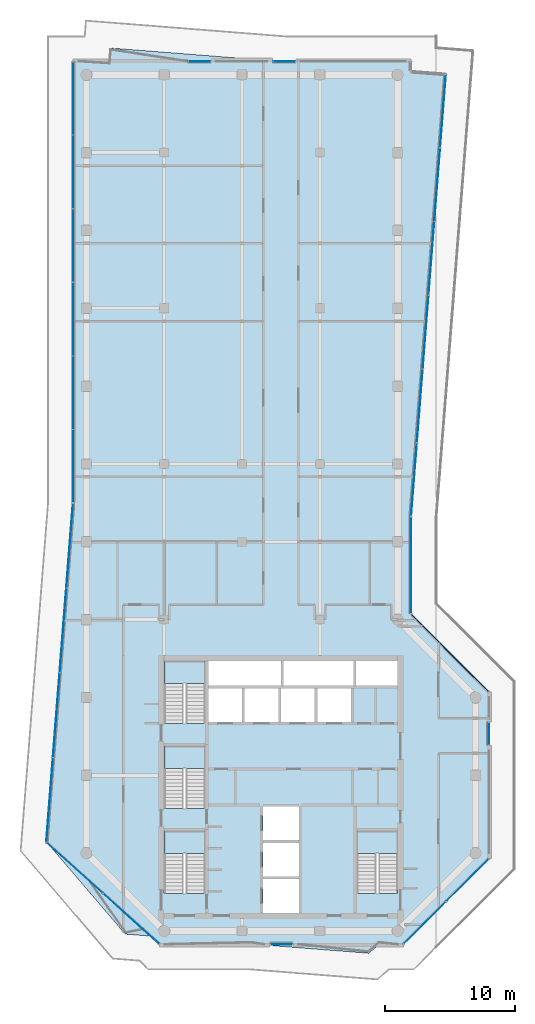
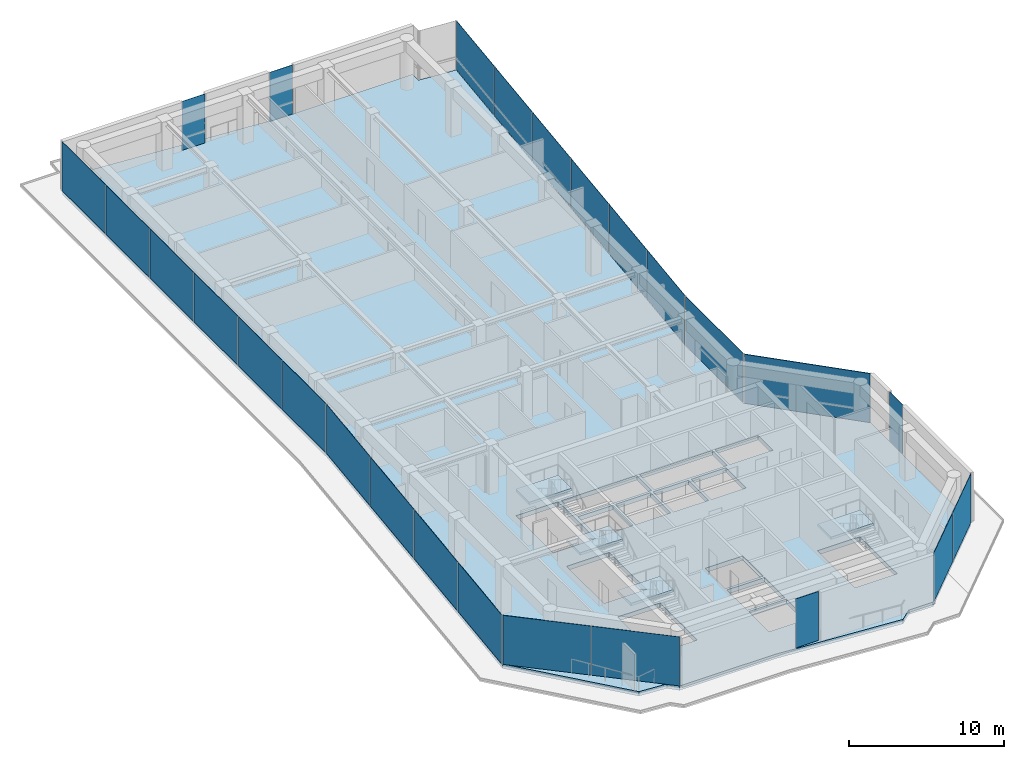
# One storey, part 17 of 23: 26 plates, 5 slabs, 15 elements without a shape of their own.
"""IFC4 building model written with IfcOpenShell, lengths in metres."""

from ifc_helpers import new_model, si_unit, direction, frame, origin, origin_2d, place, context, subcontext, project, spatial, polyline, rectangle, outline, extrude, material, layer, layer_set, type_object, element, aggregate, save


model = new_model("IFC4")

# Units and contexts
model_context = context("Model", 3, precision=1e-05, world=origin(), true_north=direction((0.0, 1.0)))
body_context = subcontext(model_context, "Body", "Model", "MODEL_VIEW")
ifc_project = project(units=[si_unit("LENGTHUNIT", "METRE"), si_unit("AREAUNIT", "SQUARE_METRE"), si_unit("VOLUMEUNIT", "CUBIC_METRE"), si_unit("PLANEANGLEUNIT", "RADIAN"), si_unit("MASSUNIT", "GRAM", prefix="KILO")], contexts=[model_context])

# Site, building, storey
site_placement = place(None, origin())
site = spatial("IfcSite", under=ifc_project, at=site_placement, CompositionType="ELEMENT")
building_placement = place(site_placement, origin())
building = spatial("IfcBuilding", under=site, at=building_placement, Name="Welwitschia Terrace Campus", CompositionType="ELEMENT")
storey_placement = place(building_placement, frame((0.0, 0.0, 247.39990234375)))
storey = spatial("IfcBuildingStorey", under=building, at=storey_placement, Name="L55", CompositionType="ELEMENT", Elevation=247.39990234375)

# Curtain wall, plates
ifc_material_1 = material(Name="Bronze anodised aluminium", Category="aluminium")
ifc_layer_1 = layer(ifc_material_1, 0.1201171875)
ifc_layer_set_1 = layer_set([ifc_layer_1], Name="Bronze anodised aluminium")
curtain_wall_type = type_object("IfcCurtainWallType", Name="Curtain wall CW2 tower 6000", PredefinedType="NOTDEFINED", material=ifc_layer_set_1)
curtain_wall_1_placement = place(storey_placement, origin())
curtain_wall_1 = element("IfcCurtainWall", 1, at=curtain_wall_1_placement, inside=storey, type_object=curtain_wall_type, Name="CW L55.0.0", PredefinedType="NOTDEFINED")
ifc_material_2 = material(Name="Tinted bronze-grey glass", Category="glass")
ifc_layer_2 = layer(ifc_material_2, 0.028076171875)
ifc_layer_set_2 = layer_set([ifc_layer_2], Name="Tinted bronze-grey glass")
plate_type_1 = type_object("IfcPlateType", Name="Glass panel 28 tinted", PredefinedType="CURTAIN_PANEL", material=ifc_layer_set_2)
plate_1_placement = place(storey_placement, frame((-1.030029296875, 68.17724609375, 0.0), z_axis=(0.0, 0.0, 1.0), x_axis=(0.0, -1.0, 0.0)))
plate_1 = element("IfcPlate", 2, at=plate_1_placement, type_object=plate_type_1, Name="Panel L55.0.0.0", PredefinedType="CURTAIN_PANEL", context=body_context, shape_type="SweptSolid", body=[
    extrude(rectangle(XDim=5.58544921875, YDim=0.028076171875, at=origin_2d()), origin(), (0.0, 0.0, 1.0), 3.85009765625),
])
plate_2_placement = place(storey_placement, frame((-1.030029296875, 62.516845703125, 0.0), z_axis=(0.0, 0.0, 1.0), x_axis=(0.0, -1.0, 0.0)))
plate_2 = element("IfcPlate", 3, at=plate_2_placement, type_object=plate_type_1, Name="Panel L55.0.0.1", PredefinedType="CURTAIN_PANEL", context=body_context, shape_type="SweptSolid", body=[
    extrude(rectangle(XDim=5.615478515625, YDim=0.028076171875, at=origin_2d()), origin(), (0.0, 0.0, 1.0), 3.85009765625),
])
plate_3_placement = place(storey_placement, frame((-1.030029296875, 56.841552734375, 0.0), z_axis=(0.0, 0.0, 1.0), x_axis=(0.0, -1.0, 0.0)))
plate_3 = element("IfcPlate", 4, at=plate_3_placement, type_object=plate_type_1, Name="Panel L55.0.0.2", PredefinedType="CURTAIN_PANEL", context=body_context, shape_type="SweptSolid", body=[
    extrude(rectangle(XDim=5.615478515625, YDim=0.028076171875, at=origin_2d()), origin(), (0.0, 0.0, 1.0), 3.85009765625),
])
plate_4_placement = place(storey_placement, frame((-1.030029296875, 51.166015625, 0.0), z_axis=(0.0, 0.0, 1.0), x_axis=(0.0, -1.0, 0.0)))
plate_4 = element("IfcPlate", 5, at=plate_4_placement, type_object=plate_type_1, Name="Panel L55.0.0.3", PredefinedType="CURTAIN_PANEL", context=body_context, shape_type="SweptSolid", body=[
    extrude(rectangle(XDim=5.615478515625, YDim=0.028076171875, at=origin_2d()), origin(), (0.0, 0.0, 1.0), 3.85009765625),
])
plate_5_placement = place(storey_placement, frame((-1.030029296875, 45.49072265625, 0.0), z_axis=(0.0, 0.0, 1.0), x_axis=(0.0, -1.0, 0.0)))
plate_5 = element("IfcPlate", 6, at=plate_5_placement, type_object=plate_type_1, Name="Panel L55.0.0.4", PredefinedType="CURTAIN_PANEL", context=body_context, shape_type="SweptSolid", body=[
    extrude(rectangle(XDim=5.615478515625, YDim=0.028076171875, at=origin_2d()), origin(), (0.0, 0.0, 1.0), 3.85009765625),
])
plate_6_placement = place(storey_placement, frame((-1.030029296875, 39.830322265625, 0.0), z_axis=(0.0, 0.0, 1.0), x_axis=(0.0, -1.0, 0.0)))
plate_6 = element("IfcPlate", 7, at=plate_6_placement, type_object=plate_type_1, Name="Panel L55.0.0.5", PredefinedType="CURTAIN_PANEL", context=body_context, shape_type="SweptSolid", body=[
    extrude(rectangle(XDim=5.58544921875, YDim=0.028076171875, at=origin_2d()), origin(), (0.0, 0.0, 1.0), 3.85009765625),
])
aggregate(curtain_wall_1, [plate_1, plate_2, plate_3, plate_4, plate_5, plate_6])

curtain_wall_2_placement = place(storey_placement, origin())
curtain_wall_2 = element("IfcCurtainWall", 8, at=curtain_wall_2_placement, inside=storey, type_object=curtain_wall_type, Name="CW L55.1.0", PredefinedType="NOTDEFINED")
plate_7_placement = place(storey_placement, frame((-1.288330078125, 33.694580078125, 0.0), z_axis=(0.0, 0.0, 1.0), x_axis=(-0.078459095728, -0.996917333733, 0.0)))
plate_7 = element("IfcPlate", 9, at=plate_7_placement, type_object=plate_type_1, Name="Panel L55.1.0.0", PredefinedType="CURTAIN_PANEL", context=body_context, shape_type="SweptSolid", body=[
    extrude(rectangle(XDim=6.46630859375, YDim=0.028076171875, at=origin_2d()), origin(), (0.0, 0.0, 1.0), 3.85009765625),
])
plate_8_placement = place(storey_placement, frame((-1.801513671875, 27.17333984375, 0.0), z_axis=(0.0, 0.0, 1.0), x_axis=(-0.078459095728, -0.996917333733, 0.0)))
plate_8 = element("IfcPlate", 10, at=plate_8_placement, type_object=plate_type_1, Name="Panel L55.1.0.1", PredefinedType="CURTAIN_PANEL", context=body_context, shape_type="SweptSolid", body=[
    extrude(rectangle(XDim=6.496337890625, YDim=0.028076171875, at=origin_2d()), origin(), (0.0, 0.0, 1.0), 3.85009765625),
])
plate_9_placement = place(storey_placement, frame((-2.31591796875, 20.63720703125, 0.0), z_axis=(0.0, 0.0, 1.0), x_axis=(-0.078459095728, -0.996917333733, 0.0)))
plate_9 = element("IfcPlate", 11, at=plate_9_placement, type_object=plate_type_1, Name="Panel L55.1.0.2", PredefinedType="CURTAIN_PANEL", context=body_context, shape_type="SweptSolid", body=[
    extrude(rectangle(XDim=6.496337890625, YDim=0.028076171875, at=origin_2d()), origin(), (0.0, 0.0, 1.0), 3.85009765625),
])
plate_10_placement = place(storey_placement, frame((-2.829345703125, 14.1162109375, 0.0), z_axis=(0.0, 0.0, 1.0), x_axis=(-0.078459095728, -0.996917333733, 0.0)))
plate_10 = element("IfcPlate", 12, at=plate_10_placement, type_object=plate_type_1, Name="Panel L55.1.0.3", PredefinedType="CURTAIN_PANEL", context=body_context, shape_type="SweptSolid", body=[
    extrude(rectangle(XDim=6.46630859375, YDim=0.028076171875, at=origin_2d()), origin(), (0.0, 0.0, 1.0), 3.85009765625),
])
aggregate(curtain_wall_2, [plate_7, plate_8, plate_9, plate_10])

curtain_wall_3_placement = place(storey_placement, origin())
curtain_wall_3 = element("IfcCurtainWall", 13, at=curtain_wall_3_placement, inside=storey, type_object=curtain_wall_type, Name="CW L55.2.0", PredefinedType="NOTDEFINED")
plate_11_placement = place(storey_placement, frame((-0.89453125, 8.857421875, 0.0), z_axis=(0.0, 0.0, 1.0), x_axis=(0.742939494275, -0.669358579423, 0.0)))
plate_11 = element("IfcPlate", 14, at=plate_11_placement, type_object=plate_type_1, Name="Panel L55.2.0.0", PredefinedType="CURTAIN_PANEL", context=body_context, shape_type="SweptSolid", body=[
    extrude(rectangle(XDim=5.78369140625, YDim=0.028076171875, at=origin_2d()), origin(), (0.0, 0.0, 1.0), 3.85009765625),
])
plate_12_placement = place(storey_placement, frame((3.44677734375, 4.94580078125, 0.0), z_axis=(0.0, 0.0, 1.0), x_axis=(0.742939494275, -0.669358579423, 0.0)))
plate_12 = element("IfcPlate", 15, at=plate_12_placement, type_object=plate_type_1, Name="Panel L55.2.0.1", PredefinedType="CURTAIN_PANEL", context=body_context, shape_type="SweptSolid", body=[
    extrude(rectangle(XDim=5.78369140625, YDim=0.028076171875, at=origin_2d()), origin(), (0.0, 0.0, 1.0), 3.85009765625),
])
aggregate(curtain_wall_3, [plate_11, plate_12])

# Curtain wall, plate
curtain_wall_4_placement = place(storey_placement, origin())
curtain_wall_4 = element("IfcCurtainWall", 16, at=curtain_wall_4_placement, inside=storey, type_object=curtain_wall_type, Name="CW L55.3.S0", PredefinedType="NOTDEFINED")
plate_13_placement = place(storey_placement, frame((15.033203125, 2.969970703125, 0.0), z_axis=(0.0, 0.0, 1.0), x_axis=(1.0, 0.0, 0.0)))
plate_13 = element("IfcPlate", 17, at=plate_13_placement, type_object=plate_type_1, Name="Panel L55.3.S0.0", PredefinedType="CURTAIN_PANEL", context=body_context, shape_type="SweptSolid", body=[
    extrude(rectangle(XDim=1.679931640625, YDim=0.028076171875, at=origin_2d()), origin(), (0.0, 0.0, 1.0), 3.85009765625),
])
aggregate(curtain_wall_4, [plate_13])

# Curtain wall, plates
curtain_wall_5_placement = place(storey_placement, origin())
curtain_wall_5 = element("IfcCurtainWall", 18, at=curtain_wall_5_placement, inside=storey, type_object=curtain_wall_type, Name="CW L55.4.0", PredefinedType="NOTDEFINED")
plate_14_placement = place(storey_placement, frame((26.088134765625, 4.63134765625, 0.0), z_axis=(0.0, 0.0, 1.0), x_axis=(0.707106781187, 0.707106781187, 0.0)))
plate_14 = element("IfcPlate", 19, at=plate_14_placement, type_object=plate_type_1, Name="Panel L55.4.0.0", PredefinedType="CURTAIN_PANEL", context=body_context, shape_type="SweptSolid", body=[
    extrude(rectangle(XDim=4.579345703125, YDim=0.028076171875, at=origin_2d()), origin(), (0.0, 0.0, 1.0), 3.85009765625),
])
plate_15_placement = place(storey_placement, frame((29.36865234375, 7.911865234375, 0.0), z_axis=(0.0, 0.0, 1.0), x_axis=(0.707106781187, 0.707106781187, 0.0)))
plate_15 = element("IfcPlate", 20, at=plate_15_placement, type_object=plate_type_1, Name="Panel L55.4.0.1", PredefinedType="CURTAIN_PANEL", context=body_context, shape_type="SweptSolid", body=[
    extrude(rectangle(XDim=4.579345703125, YDim=0.028076171875, at=origin_2d()), origin(), (0.0, 0.0, 1.0), 3.85009765625),
])
aggregate(curtain_wall_5, [plate_14, plate_15])

# Curtain wall, plate
curtain_wall_6_placement = place(storey_placement, origin())
curtain_wall_6 = element("IfcCurtainWall", 21, at=curtain_wall_6_placement, inside=storey, type_object=curtain_wall_type, Name="CW L55.5.S0", PredefinedType="NOTDEFINED")
plate_16_placement = place(storey_placement, frame((31.030029296875, 19.21337890625, 0.0), z_axis=(0.0, 0.0, 1.0), x_axis=(0.0, 1.0, 0.0)))
plate_16 = element("IfcPlate", 22, at=plate_16_placement, type_object=plate_type_1, Name="Panel L55.5.S0.0", PredefinedType="CURTAIN_PANEL", context=body_context, shape_type="SweptSolid", body=[
    extrude(rectangle(XDim=1.679931640625, YDim=0.028076171875, at=origin_2d()), origin(), (0.0, 0.0, 1.0), 3.85009765625),
])
aggregate(curtain_wall_6, [plate_16])

curtain_wall_7_placement = place(storey_placement, origin())
curtain_wall_7 = element("IfcCurtainWall", 23, at=curtain_wall_7_placement, inside=storey, type_object=curtain_wall_type, Name="CW L55.7.0", PredefinedType="NOTDEFINED")
plate_17_placement = place(storey_placement, frame((25.030029296875, 32.190185546875, 0.0), z_axis=(0.0, 0.0, 1.0), x_axis=(0.0, 1.0, 0.0)))
plate_17 = element("IfcPlate", 24, at=plate_17_placement, type_object=plate_type_1, Name="Panel L55.7.0.0", PredefinedType="CURTAIN_PANEL", context=body_context, shape_type="SweptSolid", body=[
    extrude(rectangle(XDim=7.406982421875, YDim=0.028076171875, at=origin_2d()), origin(), (0.0, 0.0, 1.0), 3.85009765625),
])
aggregate(curtain_wall_7, [plate_17])

# Curtain wall, plates
curtain_wall_8_placement = place(storey_placement, origin())
curtain_wall_8 = element("IfcCurtainWall", 25, at=curtain_wall_8_placement, inside=storey, type_object=curtain_wall_type, Name="CW L55.8.0", PredefinedType="NOTDEFINED")
plate_18_placement = place(storey_placement, frame((25.2548828125, 38.810546875, 0.0), z_axis=(0.0, 0.0, 1.0), x_axis=(0.078459095728, 0.996917333733, 0.0)))
plate_18 = element("IfcPlate", 26, at=plate_18_placement, type_object=plate_type_1, Name="Panel L55.8.0.0", PredefinedType="CURTAIN_PANEL", context=body_context, shape_type="SweptSolid", body=[
    extrude(rectangle(XDim=5.611328125, YDim=0.028076171875, at=origin_2d()), origin(), (0.0, 0.0, 1.0), 3.85009765625),
])
plate_19_placement = place(storey_placement, frame((25.700927734375, 44.479248046875, 0.0), z_axis=(0.0, 0.0, 1.0), x_axis=(0.078459095728, 0.996917333733, 0.0)))
plate_19 = element("IfcPlate", 27, at=plate_19_placement, type_object=plate_type_1, Name="Panel L55.8.0.1", PredefinedType="CURTAIN_PANEL", context=body_context, shape_type="SweptSolid", body=[
    extrude(rectangle(XDim=5.641357421875, YDim=0.028076171875, at=origin_2d()), origin(), (0.0, 0.0, 1.0), 3.85009765625),
])
plate_20_placement = place(storey_placement, frame((26.148193359375, 50.162841796875, 0.0), z_axis=(0.0, 0.0, 1.0), x_axis=(0.078459095728, 0.996917333733, 0.0)))
plate_20 = element("IfcPlate", 28, at=plate_20_placement, type_object=plate_type_1, Name="Panel L55.8.0.2", PredefinedType="CURTAIN_PANEL", context=body_context, shape_type="SweptSolid", body=[
    extrude(rectangle(XDim=5.641357421875, YDim=0.028076171875, at=origin_2d()), origin(), (0.0, 0.0, 1.0), 3.85009765625),
])
plate_21_placement = place(storey_placement, frame((26.595703125, 55.846435546875, 0.0), z_axis=(0.0, 0.0, 1.0), x_axis=(0.078459095728, 0.996917333733, 0.0)))
plate_21 = element("IfcPlate", 29, at=plate_21_placement, type_object=plate_type_1, Name="Panel L55.8.0.3", PredefinedType="CURTAIN_PANEL", context=body_context, shape_type="SweptSolid", body=[
    extrude(rectangle(XDim=5.641357421875, YDim=0.028076171875, at=origin_2d()), origin(), (0.0, 0.0, 1.0), 3.85009765625),
])
plate_22_placement = place(storey_placement, frame((27.04296875, 61.5302734375, 0.0), z_axis=(0.0, 0.0, 1.0), x_axis=(0.078459095728, 0.996917333733, 0.0)))
plate_22 = element("IfcPlate", 30, at=plate_22_placement, type_object=plate_type_1, Name="Panel L55.8.0.4", PredefinedType="CURTAIN_PANEL", context=body_context, shape_type="SweptSolid", body=[
    extrude(rectangle(XDim=5.641357421875, YDim=0.028076171875, at=origin_2d()), origin(), (0.0, 0.0, 1.0), 3.85009765625),
])
plate_23_placement = place(storey_placement, frame((27.489013671875, 67.198974609375, 0.0), z_axis=(0.0, 0.0, 1.0), x_axis=(0.078459095728, 0.996917333733, 0.0)))
plate_23 = element("IfcPlate", 31, at=plate_23_placement, type_object=plate_type_1, Name="Panel L55.8.0.5", PredefinedType="CURTAIN_PANEL", context=body_context, shape_type="SweptSolid", body=[
    extrude(rectangle(XDim=5.611328125, YDim=0.028076171875, at=origin_2d()), origin(), (0.0, 0.0, 1.0), 3.85009765625),
])
aggregate(curtain_wall_8, [plate_18, plate_19, plate_20, plate_21, plate_22, plate_23])

# Curtain wall, plate
curtain_wall_9_placement = place(storey_placement, origin())
curtain_wall_9 = element("IfcCurtainWall", 32, at=curtain_wall_9_placement, inside=storey, type_object=curtain_wall_type, Name="CW L55.11.S0", PredefinedType="NOTDEFINED")
plate_24_placement = place(storey_placement, frame((15.257568359375, 71.030029296875, 0.0), z_axis=(0.0, 0.0, 1.0), x_axis=(-1.0, 0.0, 0.0)))
plate_24 = element("IfcPlate", 33, at=plate_24_placement, type_object=plate_type_1, Name="Panel L55.11.S0.0", PredefinedType="CURTAIN_PANEL", context=body_context, shape_type="SweptSolid", body=[
    extrude(rectangle(XDim=1.679931640625, YDim=0.028076171875, at=origin_2d()), origin(), (0.0, 0.0, 1.0), 3.85009765625),
])
aggregate(curtain_wall_9, [plate_24])

curtain_wall_10_placement = place(storey_placement, origin())
curtain_wall_10 = element("IfcCurtainWall", 34, at=curtain_wall_10_placement, inside=storey, type_object=curtain_wall_type, Name="CW L55.11.S1", PredefinedType="NOTDEFINED")
plate_25_placement = place(storey_placement, frame((8.742431640625, 71.030029296875, 0.0), z_axis=(0.0, 0.0, 1.0), x_axis=(-1.0, 0.0, 0.0)))
plate_25 = element("IfcPlate", 35, at=plate_25_placement, type_object=plate_type_1, Name="Panel L55.11.S1.0", PredefinedType="CURTAIN_PANEL", context=body_context, shape_type="SweptSolid", body=[
    extrude(rectangle(XDim=1.679931640625, YDim=0.028076171875, at=origin_2d()), origin(), (0.0, 0.0, 1.0), 3.85009765625),
])
aggregate(curtain_wall_10, [plate_25])

curtain_wall_11_placement = place(storey_placement, origin())
curtain_wall_11 = element("IfcCurtainWall", 36, at=curtain_wall_11_placement, inside=storey, type_object=curtain_wall_type, Name="CW L55.6.0", PredefinedType="NOTDEFINED")
ifc_material_3 = material(Name="Bronze anodised insulated metal panel")
ifc_layer_3 = layer(ifc_material_3, 0.06005859375)
ifc_layer_set_3 = layer_set([ifc_layer_3], Name="Bronze anodised insulated metal panel")
plate_type_2 = type_object("IfcPlateType", Name="Insulated metal panel 60", PredefinedType="CURTAIN_PANEL", material=ifc_layer_set_3)
plate_26_placement = place(storey_placement, frame((28.030029296875, 25.4267578125, 0.0), z_axis=(0.0, 0.0, 1.0), x_axis=(-0.707106781187, 0.707106781187, 0.0)))
plate_26 = element("IfcPlate", 37, at=plate_26_placement, type_object=plate_type_2, Name="Panel L55.6.0.0", PredefinedType="CURTAIN_PANEL", context=body_context, shape_type="SweptSolid", body=[
    extrude(rectangle(XDim=8.365234375, YDim=0.06005859375, at=origin_2d()), origin(), (0.0, 0.0, 1.0), 3.85009765625),
])
aggregate(curtain_wall_11, [plate_26])

# Stair, slab
ifc_material_4 = material(Name="Concrete C40/50", Category="concrete")
stair_type = type_object("IfcStairType", Name="Stair 24R 175 W1500", PredefinedType="HALF_TURN_STAIR", material=ifc_material_4)
stair_1_placement = place(storey_placement, origin())
stair_1 = element("IfcStair", 38, at=stair_1_placement, inside=storey, type_object=stair_type, Name="L55 Exit stair S1", PredefinedType="HALF_TURN_STAIR")
ifc_material_5 = material(Name="Concrete C40/50", Category="concrete")
ifc_layer_4 = layer(ifc_material_5, 0.199951171875)
ifc_layer_set_4 = layer_set([ifc_layer_4], Name="Concrete C40/50")
slab_type_1 = type_object("IfcSlabType", Name="Stair landing RC", PredefinedType="LANDING", material=ifc_layer_set_4)
slab_1_placement = place(storey_placement, frame((0.0, 0.0, 1.900146484375)))
slab_1 = element("IfcSlab", 39, at=slab_1_placement, type_object=slab_type_1, Name="S1 landing 1", PredefinedType="LANDING", context=body_context, shape_type="SweptSolid", body=[
    extrude(outline(polyline([(9.14990234375, 9.97998046875), (9.14990234375, 11.699951171875), (6.0, 11.699951171875), (6.0, 9.97998046875), (9.14990234375, 9.97998046875)])), origin(), (0.0, 0.0, 1.0), 0.199951171875),
])
aggregate(stair_1, [slab_1])

stair_2_placement = place(storey_placement, origin())
stair_2 = element("IfcStair", 40, at=stair_2_placement, inside=storey, type_object=stair_type, Name="L55 Exit stair S3", PredefinedType="HALF_TURN_STAIR")
slab_2_placement = place(storey_placement, frame((0.0, 0.0, 1.900146484375)))
slab_2 = element("IfcSlab", 41, at=slab_2_placement, type_object=slab_type_1, Name="S3 landing 1", PredefinedType="LANDING", context=body_context, shape_type="SweptSolid", body=[
    extrude(outline(polyline([(9.14990234375, 16.530029296875), (9.14990234375, 18.25), (6.0, 18.25), (6.0, 16.530029296875), (9.14990234375, 16.530029296875)])), origin(), (0.0, 0.0, 1.0), 0.199951171875),
])
aggregate(stair_2, [slab_2])

stair_3_placement = place(storey_placement, origin())
stair_3 = element("IfcStair", 42, at=stair_3_placement, inside=storey, type_object=stair_type, Name="L55 Exit stair S4", PredefinedType="HALF_TURN_STAIR")
slab_3_placement = place(storey_placement, frame((0.0, 0.0, 1.900146484375)))
slab_3 = element("IfcSlab", 43, at=slab_3_placement, type_object=slab_type_1, Name="S4 landing 1", PredefinedType="LANDING", context=body_context, shape_type="SweptSolid", body=[
    extrude(outline(polyline([(9.14990234375, 23.080078125), (9.14990234375, 24.800048828125), (6.0, 24.800048828125), (6.0, 23.080078125), (9.14990234375, 23.080078125)])), origin(), (0.0, 0.0, 1.0), 0.199951171875),
])
aggregate(stair_3, [slab_3])

stair_4_placement = place(storey_placement, origin())
stair_4 = element("IfcStair", 44, at=stair_4_placement, inside=storey, type_object=stair_type, Name="L55 Exit stair S2", PredefinedType="HALF_TURN_STAIR")
slab_4_placement = place(storey_placement, frame((0.0, 0.0, 1.900146484375)))
slab_4 = element("IfcSlab", 45, at=slab_4_placement, type_object=slab_type_1, Name="S2 landing 1", PredefinedType="LANDING", context=body_context, shape_type="SweptSolid", body=[
    extrude(outline(polyline([(24.0, 9.97998046875), (24.0, 11.699951171875), (20.85009765625, 11.699951171875), (20.85009765625, 9.97998046875), (24.0, 9.97998046875)])), origin(), (0.0, 0.0, 1.0), 0.199951171875),
])
aggregate(stair_4, [slab_4])

# Slab
ifc_material_6 = material(Name="Concrete C40/50", Category="concrete")
ifc_layer_5 = layer(ifc_material_6, 0.35009765625)
ifc_layer_set_5 = layer_set([ifc_layer_5], Name="Concrete C40/50")
slab_type_2 = type_object("IfcSlabType", Name="Suspended floor slab 350", PredefinedType="FLOOR", material=ifc_layer_set_5)
slab_5_placement = place(storey_placement, frame((0.0, 0.0, -0.349853515625)))
element("IfcSlab", 46, at=slab_5_placement, inside=storey, type_object=slab_type_2, Name="Floor slab L55", PredefinedType="FLOOR", context=body_context, shape_type="SweptSolid", body=[
    extrude(outline(polyline([(1.677734375, 71.0), (1.76171875, 72.068115234375), (15.3330078125, 71.0), (25.0, 71.0), (25.0, 70.2392578125), (27.681640625, 70.028076171875), (25.0, 35.954833984375), (25.0, 28.414306640625), (31.0, 22.414306640625), (31.0, 9.585693359375), (24.414306640625, 3.0), (22.60107421875, 3.0), (21.762451171875, 2.28369140625), (12.6611328125, 3.0), (5.585693359375, 3.0), (4.9814453125, 3.6044921875), (2.991943359375, 3.760986328125), (-3.056640625, 10.84326171875), (-1.0, 36.976318359375), (-1.0, 71.0), (1.677734375, 71.0)]), holes=[polyline([(13.60009765625, 8.0), (13.60009765625, 5.39990234375), (16.39990234375, 5.39990234375), (16.39990234375, 8.0), (13.60009765625, 8.0)]), polyline([(9.14990234375, 11.699951171875), (6.0, 11.699951171875), (6.0, 6.902099609375), (9.14990234375, 6.902099609375), (9.14990234375, 11.699951171875)]), polyline([(9.14990234375, 18.25), (6.0, 18.25), (6.0, 13.451904296875), (9.14990234375, 13.451904296875), (9.14990234375, 18.25)]), polyline([(12.0, 22.699951171875), (9.39990234375, 22.699951171875), (9.39990234375, 20.10009765625), (12.0, 20.10009765625), (12.0, 22.699951171875)]), polyline([(14.800048828125, 22.699951171875), (12.199951171875, 22.699951171875), (12.199951171875, 20.10009765625), (14.800048828125, 20.10009765625), (14.800048828125, 22.699951171875)]), polyline([(9.14990234375, 24.800048828125), (6.0, 24.800048828125), (6.0, 20.001953125), (9.14990234375, 20.001953125), (9.14990234375, 24.800048828125)]), polyline([(15.0, 24.800048828125), (9.39990234375, 24.800048828125), (9.39990234375, 22.89990234375), (15.0, 22.89990234375), (15.0, 24.800048828125)]), polyline([(20.85009765625, 11.699951171875), (20.85009765625, 6.902099609375), (24.0, 6.902099609375), (24.0, 11.699951171875), (20.85009765625, 11.699951171875)]), polyline([(16.39990234375, 10.800048828125), (13.60009765625, 10.800048828125), (13.60009765625, 8.199951171875), (16.39990234375, 8.199951171875), (16.39990234375, 10.800048828125)]), polyline([(16.39990234375, 13.60009765625), (13.60009765625, 13.60009765625), (13.60009765625, 11.0), (16.39990234375, 11.0), (16.39990234375, 13.60009765625)]), polyline([(17.60009765625, 22.699951171875), (15.0, 22.699951171875), (15.0, 20.10009765625), (17.60009765625, 20.10009765625), (17.60009765625, 22.699951171875)]), polyline([(20.39990234375, 22.699951171875), (17.800048828125, 22.699951171875), (17.800048828125, 20.10009765625), (20.39990234375, 20.10009765625), (20.39990234375, 22.699951171875)]), polyline([(20.60009765625, 24.800048828125), (15.199951171875, 24.800048828125), (15.199951171875, 22.89990234375), (20.60009765625, 22.89990234375), (20.60009765625, 24.800048828125)]), polyline([(24.0, 24.800048828125), (20.800048828125, 24.800048828125), (20.800048828125, 22.89990234375), (24.0, 22.89990234375), (24.0, 24.800048828125)])]), origin(), (0.0, 0.0, 1.0), 0.349853515625),
])

save(model, "model.ifc")
